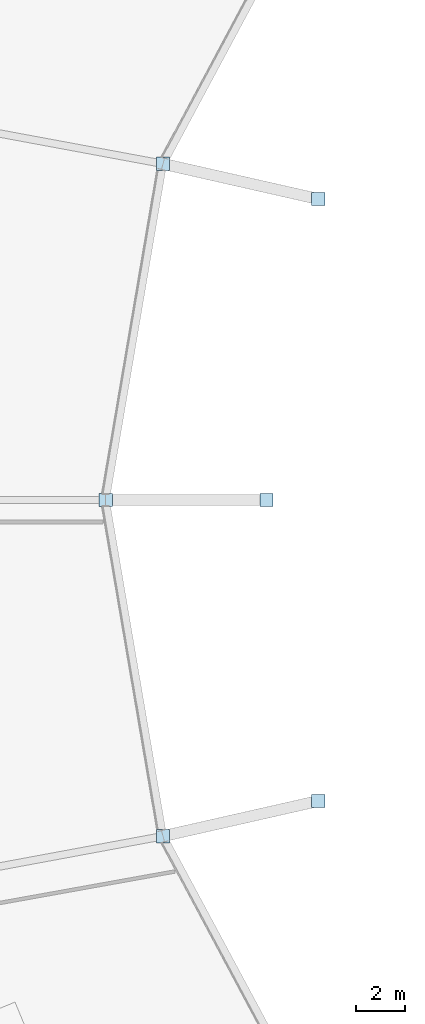
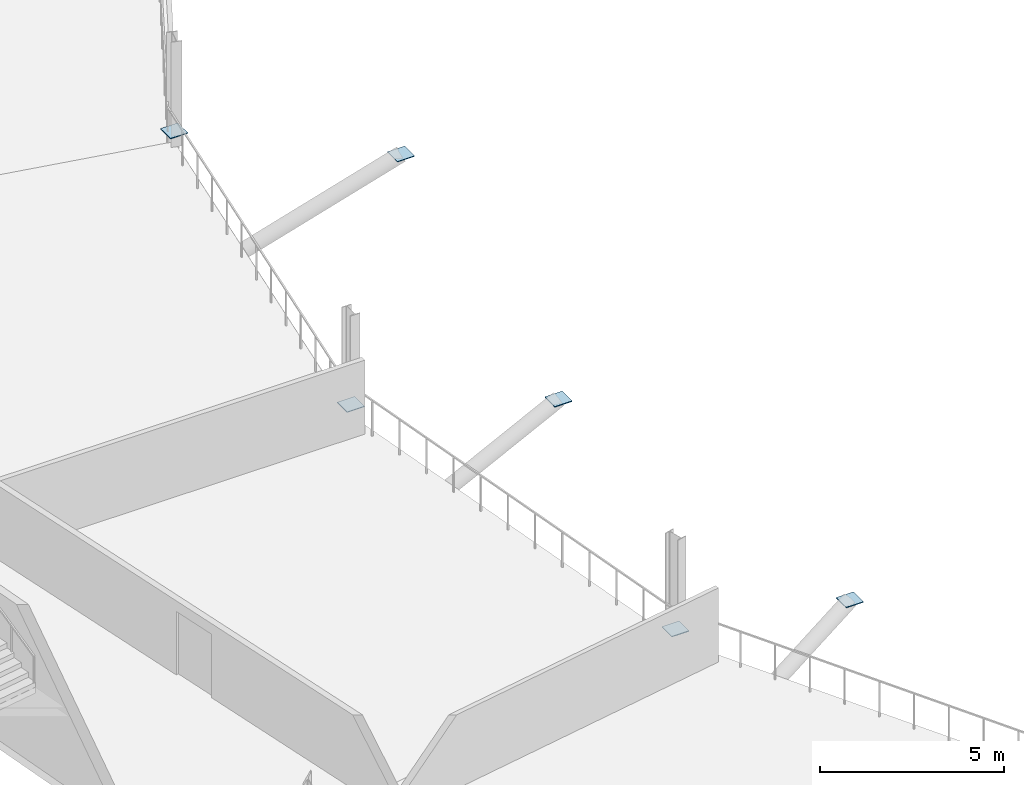
# One storey, part 99 of 168: 6 plates.
"""IFC4 building model written with IfcOpenShell, lengths in metres."""

from ifc_helpers import new_model, si_unit, direction, frame, origin, origin_2d, place, context, subcontext, project, spatial, rectangle, extrude, material, layer, layer_set, type_object, element, save


model = new_model("IFC4")

# Units and contexts
model_context = context("Model", 3, precision=1e-05, world=origin(), true_north=direction((0.0, 1.0)))
body_context = subcontext(model_context, "Body", "Model", "MODEL_VIEW")
ifc_project = project(units=[si_unit("LENGTHUNIT", "METRE"), si_unit("AREAUNIT", "SQUARE_METRE"), si_unit("VOLUMEUNIT", "CUBIC_METRE"), si_unit("PLANEANGLEUNIT", "RADIAN"), si_unit("MASSUNIT", "GRAM", prefix="KILO")], contexts=[model_context])

# Site, building, storey
site_placement = place(None, origin())
site = spatial("IfcSite", under=ifc_project, at=site_placement, CompositionType="ELEMENT")
building_placement = place(site_placement, origin())
building = spatial("IfcBuilding", under=site, at=building_placement, Name="Zlatoyarsky Gate Stadium", CompositionType="ELEMENT")
storey_placement = place(building_placement, frame((0.0, 0.0, 15.60009765625)))
storey = spatial("IfcBuildingStorey", under=building, at=storey_placement, Name="L03", CompositionType="ELEMENT", Elevation=15.60009765625)

# Plates
ifc_material = material(Name="Steel S355", Category="steel")
ifc_layer = layer(ifc_material, 0.02392578125)
ifc_layer_set = layer_set([ifc_layer], Name="Steel S355")
plate_type = type_object("IfcPlateType", Name="STEEL HOLLOW CHORD SPLICE SHEET 24", PredefinedType="SHEET", material=ifc_layer_set)
for number, where, z_axis, x_axis, name in (
    (1, (51.595703125, 92.16455078125, -1.761962890625), (0.0, 0.0, 1.0), (1.0, 0.0, 0.0), "Node closure plate ND-SP1 NCAP-UTIP-11"),
    (2, (45.31689453125, 93.587890625, 0.337890625), (0.0, 0.0, 1.0), (1.0, 0.0, 0.0), "Node closure plate ND-SP1 NCAP-UTOPB-11"),
    (3, (49.5, 80.0, -1.761962890625), (0.0, 0.0, 1.0), (1.0, 0.0, 0.0), "Node closure plate ND-SP1 NCAP-UTIP-12"),
    (4, (43.0, 80.0, 0.337890625), (0.0, 0.0, 1.0), (1.0, 0.0, 0.0), "Node closure plate ND-SP1 NCAP-UTOPB-12"),
    (5, (51.595703125, 67.83544921875, -1.761962890625), (0.0, 0.0, 1.0), (1.0, 0.0, 0.0), "Node closure plate ND-SP1 NCAP-UTIP-13"),
    (6, (45.31689453125, 66.412109375, 0.337890625), (0.0, 0.0, 1.0), (1.0, 0.0, 0.0), "Node closure plate ND-SP1 NCAP-UTOPB-13"),
):
    element("IfcPlate", number, at=place(storey_placement, frame(where, z_axis=z_axis, x_axis=x_axis)), inside=storey, type_object=plate_type, Name=name, PredefinedType="SHEET", context=body_context, shape_type="SweptSolid", body=[
        extrude(rectangle(XDim=0.5400390625, YDim=0.5400390625, at=origin_2d()), origin(), (0.0, 0.0, 1.0), 0.02392578125),
    ])

save(model, "model.ifc")
